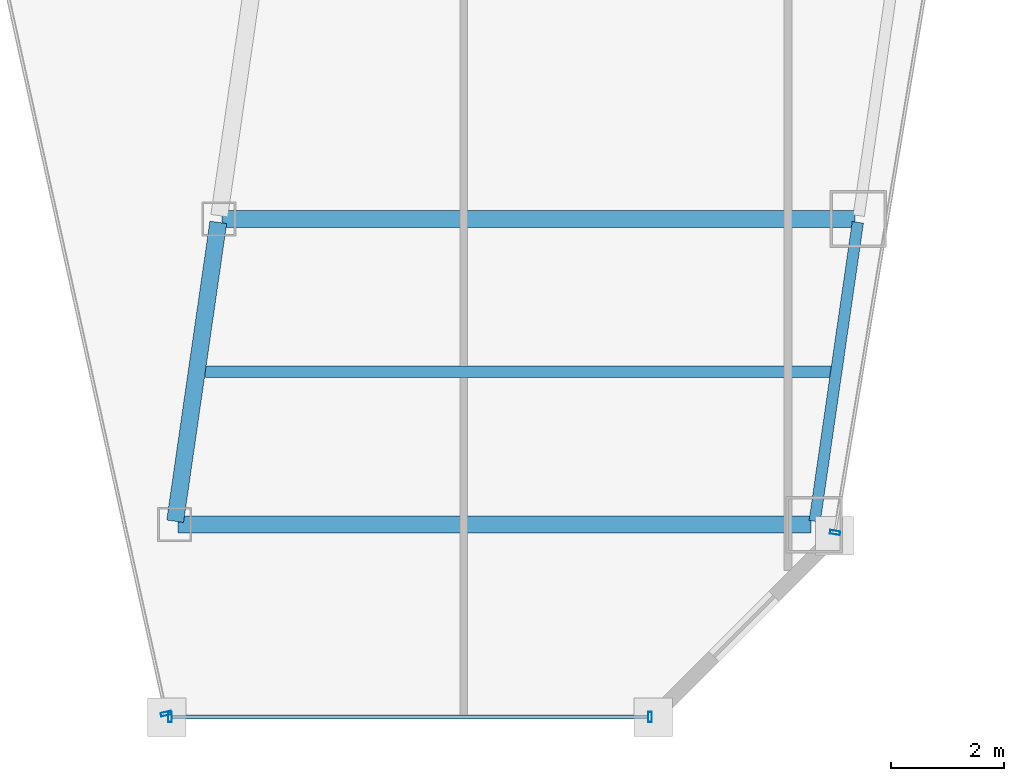
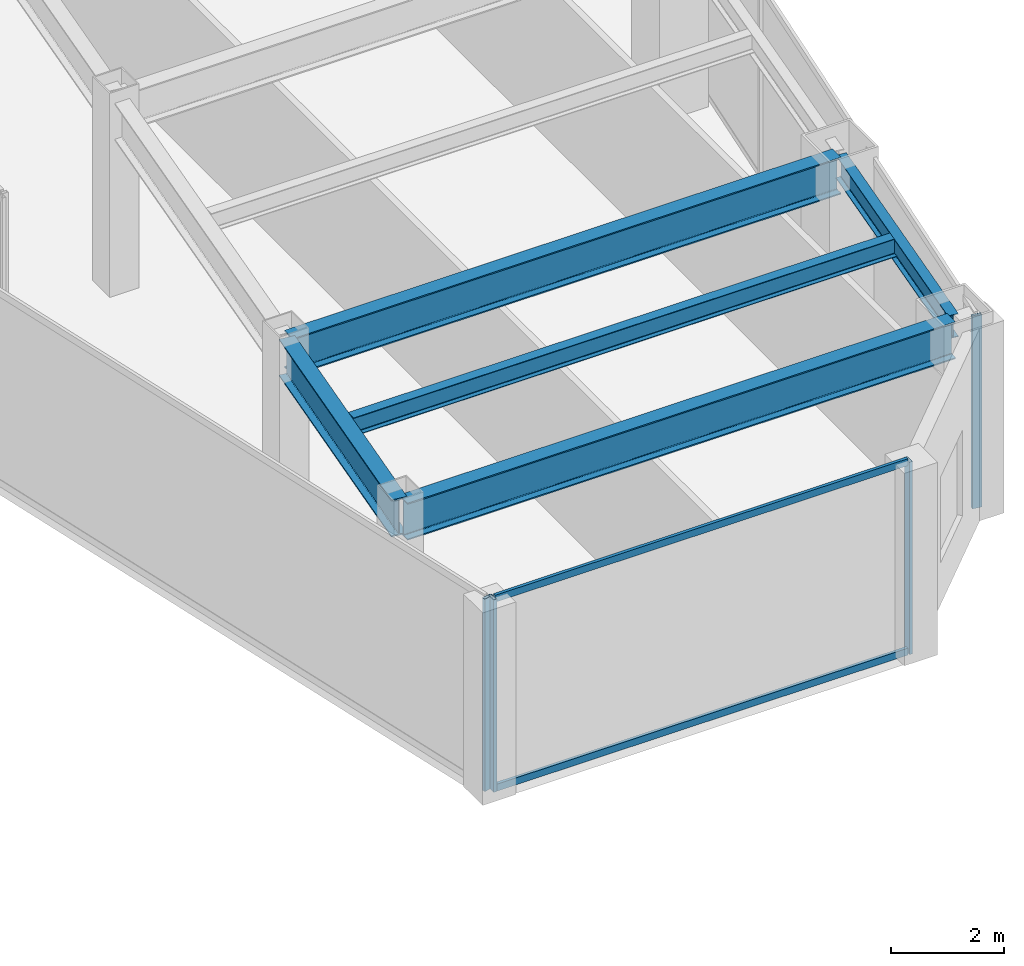
# One storey, part 15 of 37: 6 members, 5 beams, 3 elements without a shape of their own.
"""IFC4 building model written with IfcOpenShell, lengths in metres."""

from ifc_helpers import new_model, si_unit, direction, frame, origin, origin_2d, place, context, subcontext, project, spatial, hollow_rectangle, i_section, extrude, material, material_profile, profile_set, type_object, element, aggregate, save


model = new_model("IFC4")

# Units and contexts
model_context = context("Model", 3, precision=1e-05, world=origin(), true_north=direction((0.0, 1.0)))
body_context = subcontext(model_context, "Body", "Model", "MODEL_VIEW")
ifc_project = project(units=[si_unit("LENGTHUNIT", "METRE"), si_unit("AREAUNIT", "SQUARE_METRE"), si_unit("VOLUMEUNIT", "CUBIC_METRE"), si_unit("PLANEANGLEUNIT", "RADIAN"), si_unit("MASSUNIT", "GRAM", prefix="KILO")], contexts=[model_context])

# Site, building, storey
site_placement = place(None, origin())
site = spatial("IfcSite", under=ifc_project, at=site_placement, CompositionType="ELEMENT")
building_placement = place(site_placement, origin())
building = spatial("IfcBuilding", under=site, at=building_placement, Name="Saevonmaru Cultural Tower", CompositionType="ELEMENT")
storey_placement = place(building_placement, frame((0.0, 0.0, 114.800048828125)))
storey = spatial("IfcBuildingStorey", under=building, at=storey_placement, Name="L24", CompositionType="ELEMENT", Elevation=114.800048828125)

# Beams
ifc_material_1 = material(Name="Steel SM420", Category="steel")
ifc_material_profile_1 = material_profile(ifc_material_1, i_section(OverallWidth=0.300048828125, OverallDepth=0.800048828125, WebThickness=0.013916015625, FlangeThickness=0.02587890625, FilletRadius=0.028076171875, at=origin_2d()), Name="H-800x300x14x26")
ifc_profile_set_1 = profile_set([ifc_material_profile_1], Name="Steel SM420")
beam_type_1 = type_object("IfcBeamType", Name="BM-G-H800", PredefinedType="BEAM", material=ifc_profile_set_1)
beam_1_placement = place(storey_placement, frame((37.300537109375, 10.659423828125, 3.75), z_axis=(0.142977693794, 0.989725911087, 0.0), x_axis=(-0.989725911087, 0.142977693794, 0.0)))
element("IfcBeam", 1, at=beam_1_placement, inside=storey, type_object=beam_type_1, Name="L24 East Atrium Girder 1", PredefinedType="BEAM", context=body_context, shape_type="SweptSolid", body=[
    extrude(i_section(OverallWidth=0.300048828125, OverallDepth=0.800048828125, WebThickness=0.013916015625, FlangeThickness=0.02587890625, FilletRadius=0.028076171875, at=origin_2d()), origin(), (0.0, 0.0, 1.0), 5.336181640625),
])
for number, where, z_axis, x_axis, name in (
    (2, (37.35205078125, 10.60009765625, 3.75), (1.0, 0.0, 0.0), (0.0, 1.0, 0.0), "L24 East Wing Transverse Girder 1"),
    (3, (38.132080078125, 16.0, 3.75), (1.0, 0.0, 0.0), (0.0, 1.0, 0.0), "L24 East Wing Transverse Girder 2"),
):
    element("IfcBeam", number, at=place(storey_placement, frame(where, z_axis=z_axis, x_axis=x_axis)), inside=storey, type_object=beam_type_1, Name=name, PredefinedType="BEAM", context=body_context, shape_type="SweptSolid", body=[
        extrude(i_section(OverallWidth=0.300048828125, OverallDepth=0.800048828125, WebThickness=0.013916015625, FlangeThickness=0.02587890625, FilletRadius=0.028076171875, at=origin_2d()), origin(), (0.0, 0.0, 1.0), 11.179931640625),
    ])
ifc_material_2 = material(Name="Steel SM355", Category="steel")
ifc_material_profile_2 = material_profile(ifc_material_2, i_section(OverallWidth=0.199951171875, OverallDepth=0.39990234375, WebThickness=0.008056640625, FlangeThickness=0.012939453125, FilletRadius=0.01611328125, at=origin_2d()), Name="H-400x200x8x13")
ifc_profile_set_2 = profile_set([ifc_material_profile_2], Name="Steel SM355")
beam_type_2 = type_object("IfcBeamType", Name="BM-J-H400", PredefinedType="JOIST", material=ifc_profile_set_2)
beam_2_placement = place(storey_placement, frame((37.840087890625, 13.300048828125, 3.949951171875), z_axis=(1.0, 0.0, 0.0), x_axis=(0.0, 1.0, 0.0)))
element("IfcBeam", 4, at=beam_2_placement, inside=storey, type_object=beam_type_2, Name="L24 East Wing Floor Joist 1", PredefinedType="JOIST", context=body_context, shape_type="SweptSolid", body=[
    extrude(i_section(OverallWidth=0.199951171875, OverallDepth=0.39990234375, WebThickness=0.008056640625, FlangeThickness=0.012939453125, FilletRadius=0.01611328125, at=origin_2d()), origin(), (0.0, 0.0, 1.0), 11.08203125),
])
ifc_material_profile_3 = material_profile(ifc_material_2, i_section(OverallWidth=0.199951171875, OverallDepth=0.5, WebThickness=0.010009765625, FlangeThickness=0.01611328125, FilletRadius=0.02001953125, at=origin_2d()), Name="H-500x200x10x16")
ifc_profile_set_3 = profile_set([ifc_material_profile_3], Name="Steel SM355")
beam_type_3 = type_object("IfcBeamType", Name="BM-SP-H500", PredefinedType="SPANDREL", material=ifc_profile_set_3)
beam_3_placement = place(storey_placement, frame((48.6005859375, 10.659423828125, 3.89990234375), z_axis=(0.1429328758, 0.989732384544, 0.0), x_axis=(-0.989732384544, 0.1429328758, 0.0)))
element("IfcBeam", 5, at=beam_3_placement, inside=storey, type_object=beam_type_3, Name="L24 East Splayed Spandrel 1", PredefinedType="SPANDREL", context=body_context, shape_type="SweptSolid", body=[
    extrude(i_section(OverallWidth=0.199951171875, OverallDepth=0.5, WebThickness=0.010009765625, FlangeThickness=0.01611328125, FilletRadius=0.02001953125, at=origin_2d()), origin(), (0.0, 0.0, 1.0), 5.3359375),
])

# Curtain wall, member
ifc_material_3 = material(Name="Satin Bronze Anodised Aluminium", Category="aluminium")
curtain_wall_type = type_object("IfcCurtainWallType", Name="CW-TYP-A", PredefinedType="NOTDEFINED", material=ifc_material_3)
curtain_wall_1_placement = place(storey_placement, origin())
curtain_wall_1 = element("IfcCurtainWall", 6, at=curtain_wall_1_placement, inside=storey, type_object=curtain_wall_type, Name="L24 Unitised Curtain Wall E5", PredefinedType="NOTDEFINED")
ifc_material_profile_4 = material_profile(ifc_material_3, hollow_rectangle(XDim=0.06494140625, YDim=0.179931640625, WallThickness=0.00390625, at=origin_2d()), Name="ALU-MULL-180x65x4")
ifc_profile_set_4 = profile_set([ifc_material_profile_4], Name="Satin Bronze Anodised Aluminium")
member_type_1 = type_object("IfcMemberType", Name="ML-CW-180x65", PredefinedType="MULLION", material=ifc_profile_set_4)
member_1_placement = place(storey_placement, frame((37.13818359375, 7.258544921875, 0.0), z_axis=(0.0, 0.0, 1.0), x_axis=(0.215413319953, -0.976522965212, 0.0)))
member_1 = element("IfcMember", 7, at=member_1_placement, type_object=member_type_1, Name="CW-TW-L24-E5 mullion 2", PredefinedType="MULLION", context=body_context, shape_type="SweptSolid", body=[
    extrude(hollow_rectangle(XDim=0.06494140625, YDim=0.179931640625, WallThickness=0.00390625, at=origin_2d()), origin(), (0.0, 0.0, 1.0), 4.14990234375),
])
aggregate(curtain_wall_1, [member_1])

# Curtain wall, members
curtain_wall_2_placement = place(storey_placement, origin())
curtain_wall_2 = element("IfcCurtainWall", 8, at=curtain_wall_2_placement, inside=storey, type_object=curtain_wall_type, Name="L24 Unitised Curtain Wall E6", PredefinedType="NOTDEFINED")
member_2_placement = place(storey_placement, frame((37.211181640625, 7.199951171875, 0.0), z_axis=(0.0, 0.0, 1.0), x_axis=(1.0, 0.0, 0.0)))
member_2 = element("IfcMember", 9, at=member_2_placement, type_object=member_type_1, Name="CW-TW-L24-E6 mullion 1", PredefinedType="MULLION", context=body_context, shape_type="SweptSolid", body=[
    extrude(hollow_rectangle(XDim=0.06494140625, YDim=0.179931640625, WallThickness=0.00390625, at=origin_2d()), origin(), (0.0, 0.0, 1.0), 4.14990234375),
])
member_3_placement = place(storey_placement, frame((45.691162109375, 7.199951171875, 0.0), z_axis=(0.0, 0.0, 1.0), x_axis=(1.0, 0.0, 0.0)))
member_3 = element("IfcMember", 10, at=member_3_placement, type_object=member_type_1, Name="CW-TW-L24-E6 mullion 2", PredefinedType="MULLION", context=body_context, shape_type="SweptSolid", body=[
    extrude(hollow_rectangle(XDim=0.06494140625, YDim=0.179931640625, WallThickness=0.00390625, at=origin_2d()), origin(), (0.0, 0.0, 1.0), 4.14990234375),
])

# Curtain wall, member
curtain_wall_3_placement = place(storey_placement, origin())
curtain_wall_3 = element("IfcCurtainWall", 11, at=curtain_wall_3_placement, inside=storey, type_object=curtain_wall_type, Name="L24 Unitised Curtain Wall E8", PredefinedType="NOTDEFINED")
member_4_placement = place(storey_placement, frame((48.9609375, 10.459228515625, 0.0), z_axis=(0.0, 0.0, 1.0), x_axis=(0.163998702345, 0.986460554523, 0.0)))
member_4 = element("IfcMember", 12, at=member_4_placement, type_object=member_type_1, Name="CW-TW-L24-E8 mullion 1", PredefinedType="MULLION", context=body_context, shape_type="SweptSolid", body=[
    extrude(hollow_rectangle(XDim=0.06494140625, YDim=0.179931640625, WallThickness=0.00390625, at=origin_2d()), origin(), (0.0, 0.0, 1.0), 4.14990234375),
])
aggregate(curtain_wall_3, [member_4])

# Member
ifc_material_profile_5 = material_profile(ifc_material_3, hollow_rectangle(XDim=0.06494140625, YDim=0.14990234375, WallThickness=0.00390625, at=origin_2d()), Name="ALU-TRAN-150x65x4")
ifc_profile_set_5 = profile_set([ifc_material_profile_5], Name="Satin Bronze Anodised Aluminium")
member_type_2 = type_object("IfcMemberType", Name="TR-CW-150x65", PredefinedType="USERDEFINED", material=ifc_profile_set_5)
member_5_placement = place(storey_placement, frame((37.24365234375, 7.199951171875, 0.032470703125), z_axis=(1.0, 0.0, 0.0), x_axis=(0.0, 1.0, 0.0)))
member_5 = element("IfcMember", 13, at=member_5_placement, type_object=member_type_2, Name="CW-TW-L24-E6 transom 1.1", ObjectType="TRANSOM", PredefinedType="USERDEFINED", context=body_context, shape_type="SweptSolid", body=[
    extrude(hollow_rectangle(XDim=0.06494140625, YDim=0.14990234375, WallThickness=0.00390625, at=origin_2d()), origin(), (0.0, 0.0, 1.0), 8.4150390625),
])

member_6_placement = place(storey_placement, frame((37.24365234375, 7.199951171875, 4.117431640625), z_axis=(1.0, 0.0, 0.0), x_axis=(0.0, 1.0, 0.0)))
member_6 = element("IfcMember", 14, at=member_6_placement, type_object=member_type_2, Name="CW-TW-L24-E6 transom 1.2", ObjectType="TRANSOM", PredefinedType="USERDEFINED", context=body_context, shape_type="SweptSolid", body=[
    extrude(hollow_rectangle(XDim=0.06494140625, YDim=0.14990234375, WallThickness=0.00390625, at=origin_2d()), origin(), (0.0, 0.0, 1.0), 8.4150390625),
])

aggregate(curtain_wall_2, [member_2, member_3, member_5, member_6])

save(model, "model.ifc")
